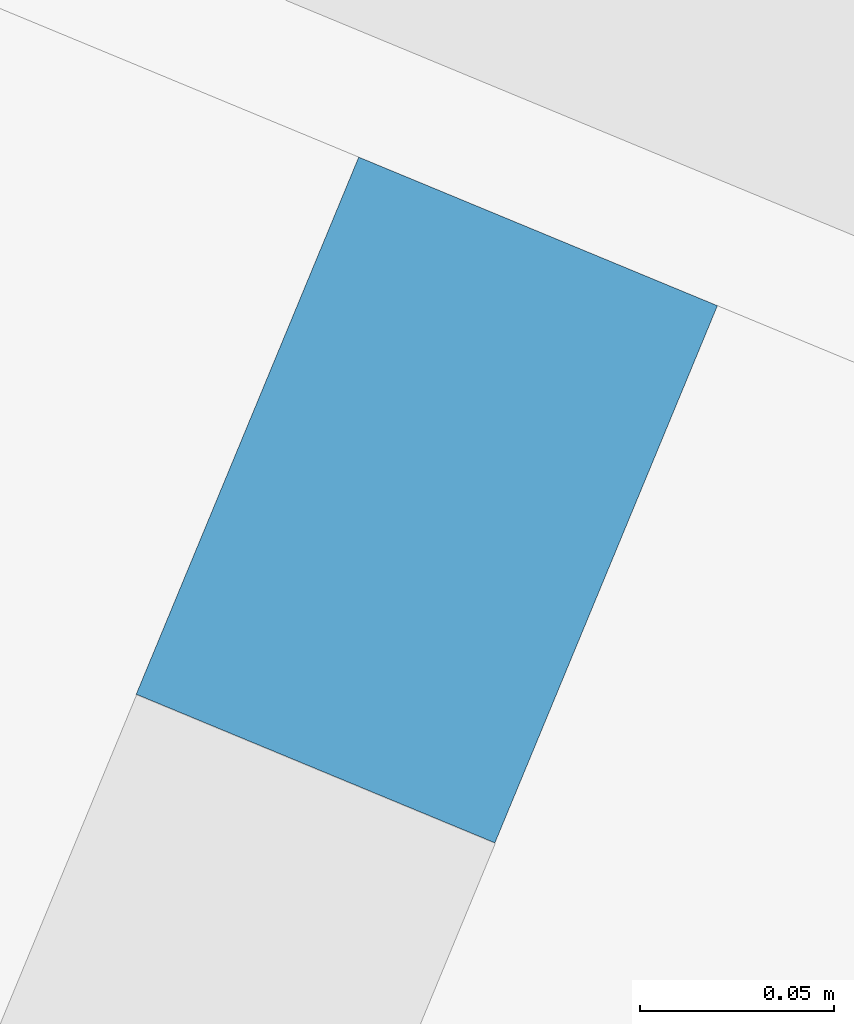
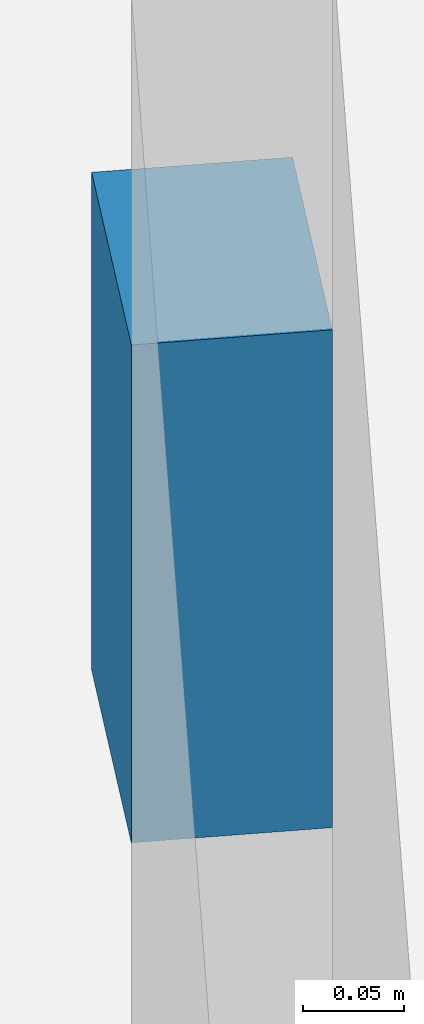
# One storey, part 9 of 33: 1 discrete accessory.
"""IFC4 building model written with IfcOpenShell, lengths in metres."""

from ifc_helpers import new_model, si_unit, direction, frame, origin, origin_2d, place, context, subcontext, project, spatial, rectangle, extrude, material, type_object, element, save


model = new_model("IFC4")

# Units and contexts
model_context = context("Model", 3, precision=1e-05, world=origin(), true_north=direction((0.0, 1.0)))
body_context = subcontext(model_context, "Body", "Model", "MODEL_VIEW")
ifc_project = project(units=[si_unit("LENGTHUNIT", "METRE"), si_unit("AREAUNIT", "SQUARE_METRE"), si_unit("VOLUMEUNIT", "CUBIC_METRE"), si_unit("PLANEANGLEUNIT", "RADIAN"), si_unit("MASSUNIT", "GRAM", prefix="KILO")], contexts=[model_context])

# Site, building, storey
site_placement = place(None, origin())
site = spatial("IfcSite", under=ifc_project, at=site_placement, CompositionType="ELEMENT")
building_placement = place(site_placement, origin())
building = spatial("IfcBuilding", under=site, at=building_placement, Name="Qamariyya Broadcast Tower", CompositionType="ELEMENT")
storey_placement = place(building_placement, frame((0.0, 0.0, 94.89990234375)))
storey = spatial("IfcBuildingStorey", under=building, at=storey_placement, Name="L20", CompositionType="ELEMENT", Elevation=94.89990234375)

# Discrete accessory
ifc_material = material(Name="Stainless steel 316", Category="steel")
discrete_accessory_type = type_object("IfcDiscreteAccessoryType", Name="Slab edge fixing angle, stainless steel", PredefinedType="BRACKET", material=ifc_material)
discrete_accessory_placement = place(storey_placement, frame((-33.904296875, -71.6875, 3.30029296875), z_axis=(0.0, 0.0, 1.0), x_axis=(0.923879532511, -0.382683432365, 0.0)))
element("IfcDiscreteAccessory", 1, at=discrete_accessory_placement, inside=storey, type_object=discrete_accessory_type, Name="e-br-L20-06-0", PredefinedType="BRACKET", context=body_context, shape_type="SweptSolid", body=[
    extrude(rectangle(XDim=0.10009765625, YDim=0.14990234375, at=origin_2d()), origin(), (0.0, 0.0, 1.0), 0.300048828125),
])

save(model, "model.ifc")
